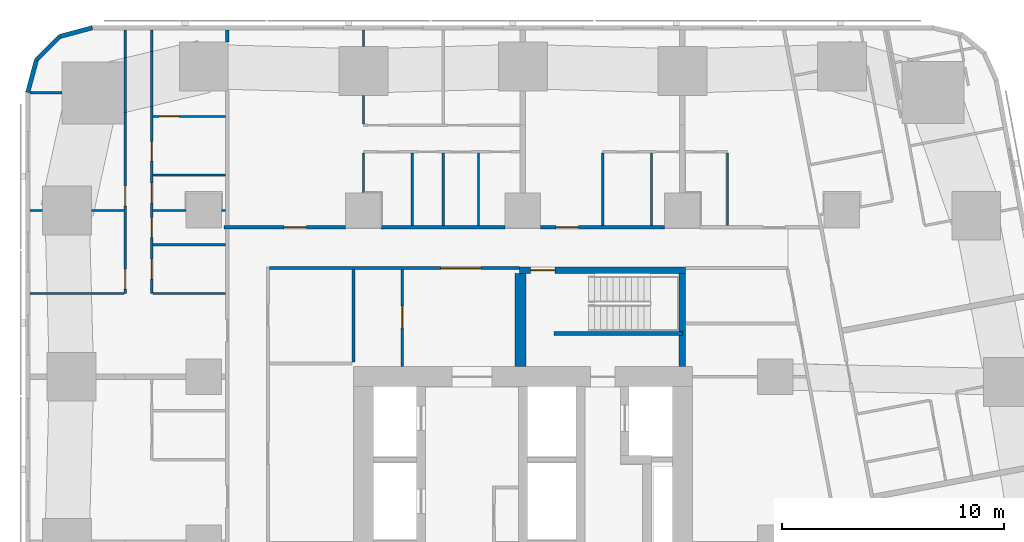
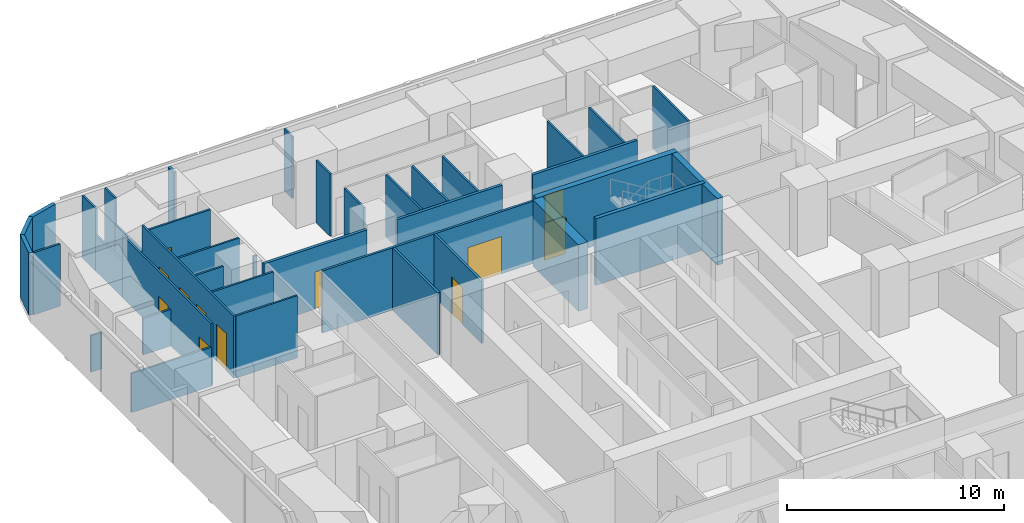
# One storey, part 8 of 14: 39 walls, 12 doors, 12 openings.
"""IFC4 building model written with IfcOpenShell, lengths in metres."""

from ifc_helpers import new_model, si_unit, direction, frame, frame_2d, origin, place, context, subcontext, project, spatial, rectangle, extrude, material, layer, layer_set, type_object, element, fill, save


model = new_model("IFC4")

# Units and contexts
model_context = context("Model", 3, precision=1e-05, world=origin(), true_north=direction((0.0, 1.0)))
body_context = subcontext(model_context, "Body", "Model", "MODEL_VIEW")
ifc_project = project(units=[si_unit("LENGTHUNIT", "METRE"), si_unit("AREAUNIT", "SQUARE_METRE"), si_unit("VOLUMEUNIT", "CUBIC_METRE"), si_unit("PLANEANGLEUNIT", "RADIAN"), si_unit("MASSUNIT", "GRAM", prefix="KILO")], contexts=[model_context])

# Site, building, storey
site_placement = place(None, origin())
site = spatial("IfcSite", under=ifc_project, at=site_placement, CompositionType="ELEMENT")
building_placement = place(site_placement, origin())
building = spatial("IfcBuilding", under=site, at=building_placement, Name="Sheger Commons Tower", CompositionType="ELEMENT")
storey_placement = place(building_placement, frame((0.0, 0.0, 122.89990234375)))
storey = spatial("IfcBuildingStorey", under=building, at=storey_placement, Name="L31", CompositionType="ELEMENT", Elevation=122.89990234375)

# Wall
ifc_material_1 = material(Name="Hollow concrete block masonry, skimmed both sides", Category="masonry")
ifc_layer_1 = layer(ifc_material_1, 0.14990234375)
ifc_layer_set_1 = layer_set([ifc_layer_1], Name="CORRIDOR WALL 150")
wall_type_1 = type_object("IfcWallType", Name="CORRIDOR WALL 150", PredefinedType="SOLIDWALL", material=ifc_layer_set_1)
wall_1_placement = place(storey_placement, frame((8.25, 45.10107421875, 0.0), z_axis=(0.0, 0.0, 1.0), x_axis=(0.0, 1.0, 0.0)))
element("IfcWall", 1, at=wall_1_placement, inside=storey, type_object=wall_type_1, Name="Corridor wall L31", PredefinedType="SOLIDWALL", context=body_context, shape_type="SweptSolid", body=[
    extrude(rectangle(XDim=0.548828125, YDim=0.14990234375, at=frame_2d((0.2744140625, 0.0))), origin(), (0.0, 0.0, 1.0), 3.5),
])

# Wall, opening, door
wall_2_placement = place(storey_placement, frame((8.10009765625, 36.75, 0.0), z_axis=(0.0, 0.0, 1.0), x_axis=(1.0, 0.0, 0.0)))
wall_2 = element("IfcWall", 2, at=wall_2_placement, inside=storey, type_object=wall_type_1, Name="Corridor wall L31", PredefinedType="SOLIDWALL", context=body_context, shape_type="SweptSolid", body=[
    extrude(rectangle(XDim=5.4990234375, YDim=0.14990234375, at=frame_2d((2.74951171875, 0.0))), origin(), (0.0, 0.0, 1.0), 3.5),
])
opening_1_placement = place(wall_2_placement, frame((2.72509765625, 0.0, 0.0)))
opening_1 = element("IfcOpeningElement", 3, at=opening_1_placement, cuts=wall_2, Name="Opening D1", PredefinedType="OPENING", context=body_context, shape_type="SweptSolid", body=[
    extrude(rectangle(XDim=1.0, YDim=2.10009765625, at=frame_2d((0.5, 1.050048828125))), frame((0.0, 0.0849609375, 0.0), z_axis=(0.0, -1.0, 0.0), x_axis=(1.0, 0.0, 0.0)), (0.0, 0.0, 1.0), 0.169921875),
])
ifc_material_2 = material(Name="Steel door set, fire rated", Category="steel")
door_type_1 = type_object("IfcDoorType", Name="FLAT ENTRANCE DOOR 1000x2100", OperationType="NOTDEFINED", PredefinedType="DOOR", material=ifc_material_2)
door_1_placement = place(opening_1_placement, origin())
door_1 = element("IfcDoor", 4, at=door_1_placement, inside=storey, type_object=door_type_1, Name="Flat entrance door", OperationType="SINGLE_SWING_LEFT", OverallHeight=2.10009765625, OverallWidth=1.0, PredefinedType="DOOR", context=body_context, shape_type="SweptSolid", body=[
    extrude(rectangle(XDim=1.0, YDim=2.10009765625, at=frame_2d((0.5, 1.050048828125))), frame((0.0, 0.02490234375, 0.0), z_axis=(0.0, -1.0, 0.0), x_axis=(1.0, 0.0, 0.0)), (0.0, 0.0, 1.0), 0.050048828125),
])
fill(opening_1, door_1)

# Wall
wall_3_placement = place(storey_placement, frame((15.200927734375, 36.75, 0.0), z_axis=(0.0, 0.0, 1.0), x_axis=(1.0, 0.0, 0.0)))
element("IfcWall", 5, at=wall_3_placement, inside=storey, type_object=wall_type_1, Name="Corridor wall L31", PredefinedType="SOLIDWALL", context=body_context, shape_type="SweptSolid", body=[
    extrude(rectangle(XDim=5.59814453125, YDim=0.14990234375, at=frame_2d((2.799072265625, 0.0))), origin(), (0.0, 0.0, 1.0), 3.5),
])

# Wall, opening, door
wall_4_placement = place(storey_placement, frame((22.40087890625, 36.75, 0.0), z_axis=(0.0, 0.0, 1.0), x_axis=(1.0, 0.0, 0.0)))
wall_4 = element("IfcWall", 6, at=wall_4_placement, inside=storey, type_object=wall_type_1, Name="Corridor wall L31", PredefinedType="SOLIDWALL", context=body_context, shape_type="SweptSolid", body=[
    extrude(rectangle(XDim=5.59814453125, YDim=0.14990234375, at=frame_2d((2.799072265625, 0.0))), origin(), (0.0, 0.0, 1.0), 3.5),
])
opening_2_placement = place(wall_4_placement, frame((0.698974609375, 0.0, 0.0)))
opening_2 = element("IfcOpeningElement", 7, at=opening_2_placement, cuts=wall_4, Name="Opening D1", PredefinedType="OPENING", context=body_context, shape_type="SweptSolid", body=[
    extrude(rectangle(XDim=1.0, YDim=2.10009765625, at=frame_2d((0.5, 1.050048828125))), frame((0.0, 0.0849609375, 0.0), z_axis=(0.0, -1.0, 0.0), x_axis=(1.0, 0.0, 0.0)), (0.0, 0.0, 1.0), 0.169921875),
])
door_2_placement = place(opening_2_placement, origin())
door_2 = element("IfcDoor", 8, at=door_2_placement, inside=storey, type_object=door_type_1, Name="Flat entrance door", OperationType="SINGLE_SWING_LEFT", OverallHeight=2.10009765625, OverallWidth=1.0, PredefinedType="DOOR", context=body_context, shape_type="SweptSolid", body=[
    extrude(rectangle(XDim=1.0, YDim=2.10009765625, at=frame_2d((0.5, 1.050048828125))), frame((0.0, 0.02490234375, 0.0), z_axis=(0.0, -1.0, 0.0), x_axis=(1.0, 0.0, 0.0)), (0.0, 0.0, 1.0), 0.050048828125),
])
fill(opening_2, door_2)

# Walls
ifc_material_3 = material(Name="Rendered concrete block masonry, dark grey", Category="masonry")
ifc_layer_2 = layer(ifc_material_3, 0.199951171875)
ifc_layer_set_2 = layer_set([ifc_layer_2], Name="FACADE WALL 200")
wall_type_2 = type_object("IfcWallType", Name="FACADE WALL 200", PredefinedType="SOLIDWALL", material=ifc_layer_set_2)
wall_5_placement = place(storey_placement, frame((2.1630859375, 45.75, 0.0), z_axis=(0.0, 0.0, 1.0), x_axis=(-0.965832000415, -0.259168954497, 0.0)))
element("IfcWall", 9, at=wall_5_placement, inside=storey, type_object=wall_type_2, Name="Facade wall L31", PredefinedType="SOLIDWALL", context=body_context, shape_type="SweptSolid", body=[
    extrude(rectangle(XDim=1.512939453125, YDim=0.199951171875, at=frame_2d((0.75634765625, 0.0))), origin(), (0.0, 0.0, 1.0), 3.5),
])
wall_6_placement = place(storey_placement, frame((0.701904296875, 45.35791015625, 0.0), z_axis=(0.0, 0.0, 1.0), x_axis=(-0.707106781187, -0.707106781187, 0.0)))
element("IfcWall", 10, at=wall_6_placement, inside=storey, type_object=wall_type_2, Name="Facade wall L31", PredefinedType="SOLIDWALL", context=body_context, shape_type="SweptSolid", body=[
    extrude(rectangle(XDim=1.498779296875, YDim=0.199951171875, at=frame_2d((0.74951171875, 0.0))), origin(), (0.0, 0.0, 1.0), 3.5),
])
wall_7_placement = place(storey_placement, frame((-0.35791015625, 44.298095703125, 0.0), z_axis=(0.0, 0.0, 1.0), x_axis=(-0.259168954497, -0.965832000415, 0.0)))
element("IfcWall", 11, at=wall_7_placement, inside=storey, type_object=wall_type_2, Name="Facade wall L31", PredefinedType="SOLIDWALL", context=body_context, shape_type="SweptSolid", body=[
    extrude(rectangle(XDim=1.512939453125, YDim=0.199951171875, at=frame_2d((0.75634765625, 0.0))), origin(), (0.0, 0.0, 1.0), 3.5),
])

# Wall, openings, doors
ifc_material_4 = material(Name="Gypsum board on steel studs", Category="steel")
ifc_layer_3 = layer(ifc_material_4, 0.10009765625)
ifc_layer_set_3 = layer_set([ifc_layer_3], Name="PARTITION 100")
wall_type_3 = type_object("IfcWallType", Name="PARTITION 100", PredefinedType="PARTITIONING", material=ifc_layer_set_3)
wall_8_placement = place(storey_placement, frame((3.64990234375, 33.75, 0.0), z_axis=(0.0, 0.0, 1.0), x_axis=(0.0, 1.0, 0.0)))
wall_8 = element("IfcWall", 12, at=wall_8_placement, inside=storey, type_object=wall_type_3, Name="Partition L31", PredefinedType="PARTITIONING", context=body_context, shape_type="SweptSolid", body=[
    extrude(rectangle(XDim=8.1650390625, YDim=0.10009765625, at=frame_2d((4.08251953125, 0.0))), origin(), (0.0, 0.0, 1.0), 3.5),
])
opening_3_placement = place(wall_8_placement, frame((0.199951171875, 0.0, 0.0)))
opening_3 = element("IfcOpeningElement", 13, at=opening_3_placement, cuts=wall_8, Name="Opening D2", PredefinedType="OPENING", context=body_context, shape_type="SweptSolid", body=[
    extrude(rectangle(XDim=0.89990234375, YDim=2.10009765625, at=frame_2d((0.449951171875, 1.050048828125))), frame((0.0, 0.06005859375, 0.0), z_axis=(0.0, -1.0, 0.0), x_axis=(1.0, 0.0, 0.0)), (0.0, 0.0, 1.0), 0.1201171875),
])
opening_4_placement = place(wall_8_placement, frame((3.949951171875, 0.0, 0.0)))
opening_4 = element("IfcOpeningElement", 14, at=opening_4_placement, cuts=wall_8, Name="Opening D2", PredefinedType="OPENING", context=body_context, shape_type="SweptSolid", body=[
    extrude(rectangle(XDim=0.89990234375, YDim=2.10009765625, at=frame_2d((0.449951171875, 1.050048828125))), frame((0.0, 0.06005859375, 0.0), z_axis=(0.0, -1.0, 0.0), x_axis=(1.0, 0.0, 0.0)), (0.0, 0.0, 1.0), 0.1201171875),
])
ifc_material_5 = material(Name="Timber door set", Category="wood")
door_type_2 = type_object("IfcDoorType", Name="INTERNAL DOOR 900x2100", OperationType="NOTDEFINED", PredefinedType="DOOR", material=ifc_material_5)
door_3_placement = place(opening_3_placement, origin())
door_3 = element("IfcDoor", 15, at=door_3_placement, inside=storey, type_object=door_type_2, Name="Main bedroom door", OperationType="SINGLE_SWING_LEFT", OverallHeight=2.10009765625, OverallWidth=0.89990234375, PredefinedType="DOOR", context=body_context, shape_type="SweptSolid", body=[
    extrude(rectangle(XDim=0.89990234375, YDim=2.10009765625, at=frame_2d((0.449951171875, 1.050048828125))), frame((0.0, 0.02490234375, 0.0), z_axis=(0.0, -1.0, 0.0), x_axis=(1.0, 0.0, 0.0)), (0.0, 0.0, 1.0), 0.050048828125),
])
fill(opening_3, door_3)
door_4_placement = place(opening_4_placement, origin())
door_4 = element("IfcDoor", 16, at=door_4_placement, inside=storey, type_object=door_type_2, Name="Bedroom 2 door", OperationType="SINGLE_SWING_LEFT", OverallHeight=2.10009765625, OverallWidth=0.89990234375, PredefinedType="DOOR", context=body_context, shape_type="SweptSolid", body=[
    extrude(rectangle(XDim=0.89990234375, YDim=2.10009765625, at=frame_2d((0.449951171875, 1.050048828125))), frame((0.0, 0.02490234375, 0.0), z_axis=(0.0, -1.0, 0.0), x_axis=(1.0, 0.0, 0.0)), (0.0, 0.0, 1.0), 0.050048828125),
])
fill(opening_4, door_4)

# Walls
wall_9_placement = place(storey_placement, frame((3.64990234375, 41.9150390625, 0.0), z_axis=(0.0, 0.0, 1.0), x_axis=(0.0, 1.0, 0.0)))
element("IfcWall", 17, at=wall_9_placement, inside=storey, type_object=wall_type_3, Name="Partition L31", PredefinedType="PARTITIONING", context=body_context, shape_type="SweptSolid", body=[
    extrude(rectangle(XDim=2.489990234375, YDim=0.10009765625, at=frame_2d((1.2451171875, 0.0))), origin(), (0.0, 0.0, 1.0), 2.050048828125),
])
wall_10_placement = place(storey_placement, frame((3.64990234375, 44.405029296875, 0.0), z_axis=(0.0, 0.0, 1.0), x_axis=(0.0, 1.0, 0.0)))
element("IfcWall", 18, at=wall_10_placement, inside=storey, type_object=wall_type_3, Name="Partition L31", PredefinedType="PARTITIONING", context=body_context, shape_type="SweptSolid", body=[
    extrude(rectangle(XDim=1.244873046875, YDim=0.10009765625, at=frame_2d((0.62255859375, 0.0))), origin(), (0.0, 0.0, 1.0), 3.5),
])

# Wall, openings, doors
wall_11_placement = place(storey_placement, frame((4.85009765625, 33.75, 0.0), z_axis=(0.0, 0.0, 1.0), x_axis=(0.0, 1.0, 0.0)))
wall_11 = element("IfcWall", 19, at=wall_11_placement, inside=storey, type_object=wall_type_3, Name="Partition L31", PredefinedType="PARTITIONING", context=body_context, shape_type="SweptSolid", body=[
    extrude(rectangle(XDim=8.448974609375, YDim=0.10009765625, at=frame_2d((4.224609375, 0.0))), origin(), (0.0, 0.0, 1.0), 3.5),
])
opening_5_placement = place(wall_11_placement, frame((0.655029296875, 0.0, 0.0)))
opening_5 = element("IfcOpeningElement", 20, at=opening_5_placement, cuts=wall_11, Name="Opening D2", PredefinedType="OPENING", context=body_context, shape_type="SweptSolid", body=[
    extrude(rectangle(XDim=0.89990234375, YDim=2.10009765625, at=frame_2d((0.449951171875, 1.050048828125))), frame((0.0, 0.06005859375, 0.0), z_axis=(0.0, -1.0, 0.0), x_axis=(1.0, 0.0, 0.0)), (0.0, 0.0, 1.0), 0.1201171875),
])
opening_6_placement = place(wall_11_placement, frame((4.10009765625, 0.0, 0.0)))
opening_6 = element("IfcOpeningElement", 21, at=opening_6_placement, cuts=wall_11, Name="Opening D2", PredefinedType="OPENING", context=body_context, shape_type="SweptSolid", body=[
    extrude(rectangle(XDim=0.89990234375, YDim=2.10009765625, at=frame_2d((0.449951171875, 1.050048828125))), frame((0.0, 0.06005859375, 0.0), z_axis=(0.0, -1.0, 0.0), x_axis=(1.0, 0.0, 0.0)), (0.0, 0.0, 1.0), 0.1201171875),
])
opening_7_placement = place(wall_11_placement, frame((2.530029296875, 0.0, 0.0)))
opening_7 = element("IfcOpeningElement", 22, at=opening_7_placement, cuts=wall_11, Name="Opening D2", PredefinedType="OPENING", context=body_context, shape_type="SweptSolid", body=[
    extrude(rectangle(XDim=0.89990234375, YDim=2.10009765625, at=frame_2d((0.449951171875, 1.050048828125))), frame((0.0, 0.06005859375, 0.0), z_axis=(0.0, -1.0, 0.0), x_axis=(1.0, 0.0, 0.0)), (0.0, 0.0, 1.0), 0.1201171875),
])
opening_8_placement = place(wall_11_placement, frame((5.97509765625, 0.0, 0.0)))
opening_8 = element("IfcOpeningElement", 23, at=opening_8_placement, cuts=wall_11, Name="Opening D2", PredefinedType="OPENING", context=body_context, shape_type="SweptSolid", body=[
    extrude(rectangle(XDim=0.89990234375, YDim=2.10009765625, at=frame_2d((0.449951171875, 1.050048828125))), frame((0.0, 0.06005859375, 0.0), z_axis=(0.0, -1.0, 0.0), x_axis=(1.0, 0.0, 0.0)), (0.0, 0.0, 1.0), 0.1201171875),
])
door_5_placement = place(opening_5_placement, origin())
door_5 = element("IfcDoor", 24, at=door_5_placement, inside=storey, type_object=door_type_2, Name="Bathroom door", OperationType="SINGLE_SWING_RIGHT", OverallHeight=2.10009765625, OverallWidth=0.89990234375, PredefinedType="DOOR", context=body_context, shape_type="SweptSolid", body=[
    extrude(rectangle(XDim=0.89990234375, YDim=2.10009765625, at=frame_2d((0.449951171875, 1.050048828125))), frame((0.0, 0.02490234375, 0.0), z_axis=(0.0, -1.0, 0.0), x_axis=(1.0, 0.0, 0.0)), (0.0, 0.0, 1.0), 0.050048828125),
])
fill(opening_5, door_5)
door_6_placement = place(opening_6_placement, origin())
door_6 = element("IfcDoor", 25, at=door_6_placement, inside=storey, type_object=door_type_2, Name="Shower room door", OperationType="SINGLE_SWING_RIGHT", OverallHeight=2.10009765625, OverallWidth=0.89990234375, PredefinedType="DOOR", context=body_context, shape_type="SweptSolid", body=[
    extrude(rectangle(XDim=0.89990234375, YDim=2.10009765625, at=frame_2d((0.449951171875, 1.050048828125))), frame((0.0, 0.02490234375, 0.0), z_axis=(0.0, -1.0, 0.0), x_axis=(1.0, 0.0, 0.0)), (0.0, 0.0, 1.0), 0.050048828125),
])
fill(opening_6, door_6)
door_7_placement = place(opening_7_placement, origin())
door_7 = element("IfcDoor", 26, at=door_7_placement, inside=storey, type_object=door_type_2, Name="Store door", OperationType="SINGLE_SWING_LEFT", OverallHeight=2.10009765625, OverallWidth=0.89990234375, PredefinedType="DOOR", context=body_context, shape_type="SweptSolid", body=[
    extrude(rectangle(XDim=0.89990234375, YDim=2.10009765625, at=frame_2d((0.449951171875, 1.050048828125))), frame((0.0, 0.02490234375, 0.0), z_axis=(0.0, -1.0, 0.0), x_axis=(1.0, 0.0, 0.0)), (0.0, 0.0, 1.0), 0.050048828125),
])
fill(opening_7, door_7)
door_8_placement = place(opening_8_placement, origin())
door_8 = element("IfcDoor", 27, at=door_8_placement, inside=storey, type_object=door_type_2, Name="Store door", OperationType="SINGLE_SWING_RIGHT", OverallHeight=2.10009765625, OverallWidth=0.89990234375, PredefinedType="DOOR", context=body_context, shape_type="SweptSolid", body=[
    extrude(rectangle(XDim=0.89990234375, YDim=2.10009765625, at=frame_2d((0.449951171875, 1.050048828125))), frame((0.0, 0.02490234375, 0.0), z_axis=(0.0, -1.0, 0.0), x_axis=(1.0, 0.0, 0.0)), (0.0, 0.0, 1.0), 0.050048828125),
])
fill(opening_8, door_8)

# Walls
wall_12_placement = place(storey_placement, frame((4.85009765625, 42.198974609375, 0.0), z_axis=(0.0, 0.0, 1.0), x_axis=(0.0, 1.0, 0.0)))
element("IfcWall", 28, at=wall_12_placement, inside=storey, type_object=wall_type_3, Name="Partition L31", PredefinedType="PARTITIONING", context=body_context, shape_type="SweptSolid", body=[
    extrude(rectangle(XDim=2.489990234375, YDim=0.10009765625, at=frame_2d((1.2451171875, 0.0))), origin(), (0.0, 0.0, 1.0), 2.050048828125),
])
wall_13_placement = place(storey_placement, frame((4.85009765625, 44.68896484375, 0.0), z_axis=(0.0, 0.0, 1.0), x_axis=(0.0, 1.0, 0.0)))
element("IfcWall", 29, at=wall_13_placement, inside=storey, type_object=wall_type_3, Name="Partition L31", PredefinedType="PARTITIONING", context=body_context, shape_type="SweptSolid", body=[
    extrude(rectangle(XDim=0.9609375, YDim=0.10009765625, at=frame_2d((0.48046875, 0.0))), origin(), (0.0, 0.0, 1.0), 3.5),
])
wall_14_placement = place(storey_placement, frame((-0.64990234375, 33.75, 0.0), z_axis=(0.0, 0.0, 1.0), x_axis=(1.0, 0.0, 0.0)))
element("IfcWall", 30, at=wall_14_placement, inside=storey, type_object=wall_type_3, Name="Partition L31", PredefinedType="PARTITIONING", context=body_context, shape_type="SweptSolid", body=[
    extrude(rectangle(XDim=4.25, YDim=0.10009765625, at=frame_2d((2.125, 0.0))), origin(), (0.0, 0.0, 1.0), 2.2001953125),
])
wall_15_placement = place(storey_placement, frame((-0.64990234375, 37.5, 0.0), z_axis=(0.0, 0.0, 1.0), x_axis=(1.0, 0.0, 0.0)))
element("IfcWall", 31, at=wall_15_placement, inside=storey, type_object=wall_type_3, Name="Partition L31", PredefinedType="PARTITIONING", context=body_context, shape_type="SweptSolid", body=[
    extrude(rectangle(XDim=0.573974609375, YDim=0.10009765625, at=frame_2d((0.287109375, 0.0))), origin(), (0.0, 0.0, 1.0), 2.050048828125),
])
wall_16_placement = place(storey_placement, frame((2.1259765625, 37.5, 0.0), z_axis=(0.0, 0.0, 1.0), x_axis=(1.0, 0.0, 0.0)))
element("IfcWall", 32, at=wall_16_placement, inside=storey, type_object=wall_type_3, Name="Partition L31", PredefinedType="PARTITIONING", context=body_context, shape_type="SweptSolid", body=[
    extrude(rectangle(XDim=1.47412109375, YDim=0.10009765625, at=frame_2d((0.737060546875, 0.0))), origin(), (0.0, 0.0, 1.0), 2.050048828125),
])
wall_17_placement = place(storey_placement, frame((-0.64990234375, 42.81396484375, 0.0), z_axis=(0.0, 0.0, 1.0), x_axis=(1.0, 0.0, 0.0)))
element("IfcWall", 33, at=wall_17_placement, inside=storey, type_object=wall_type_3, Name="Partition L31", PredefinedType="PARTITIONING", context=body_context, shape_type="SweptSolid", body=[
    extrude(rectangle(XDim=1.434814453125, YDim=0.10009765625, at=frame_2d((0.71728515625, 0.0))), origin(), (0.0, 0.0, 1.0), 3.5),
])
wall_18_placement = place(storey_placement, frame((4.89990234375, 33.75, 0.0), z_axis=(0.0, 0.0, 1.0), x_axis=(1.0, 0.0, 0.0)))
element("IfcWall", 34, at=wall_18_placement, inside=storey, type_object=wall_type_3, Name="Partition L31", PredefinedType="PARTITIONING", context=body_context, shape_type="SweptSolid", body=[
    extrude(rectangle(XDim=3.275146484375, YDim=0.10009765625, at=frame_2d((1.6376953125, 0.0))), origin(), (0.0, 0.0, 1.0), 3.5),
])
wall_19_placement = place(storey_placement, frame((4.89990234375, 37.5, 0.0), z_axis=(0.0, 0.0, 1.0), x_axis=(1.0, 0.0, 0.0)))
element("IfcWall", 35, at=wall_19_placement, inside=storey, type_object=wall_type_3, Name="Partition L31", PredefinedType="PARTITIONING", context=body_context, shape_type="SweptSolid", body=[
    extrude(rectangle(XDim=1.4990234375, YDim=0.10009765625, at=frame_2d((0.74951171875, 0.0))), origin(), (0.0, 0.0, 1.0), 3.5),
])
wall_20_placement = place(storey_placement, frame((8.0009765625, 37.5, 0.0), z_axis=(0.0, 0.0, 1.0), x_axis=(1.0, 0.0, 0.0)))
element("IfcWall", 36, at=wall_20_placement, inside=storey, type_object=wall_type_3, Name="Partition L31", PredefinedType="PARTITIONING", context=body_context, shape_type="SweptSolid", body=[
    extrude(rectangle(XDim=0.174072265625, YDim=0.10009765625, at=frame_2d((0.0869140625, 0.0))), origin(), (0.0, 0.0, 1.0), 3.5),
])
for number, where, z_axis, x_axis, name in (
    (37, (4.89990234375, 35.9599609375, 0.0), (0.0, 0.0, 1.0), (1.0, 0.0, 0.0), "Partition L31"),
    (38, (4.89990234375, 39.10009765625, 0.0), (0.0, 0.0, 1.0), (1.0, 0.0, 0.0), "Partition L31"),
):
    element("IfcWall", number, at=place(storey_placement, frame(where, z_axis=z_axis, x_axis=x_axis)), inside=storey, type_object=wall_type_3, Name=name, PredefinedType="PARTITIONING", context=body_context, shape_type="SweptSolid", body=[
        extrude(rectangle(XDim=3.275146484375, YDim=0.10009765625, at=frame_2d((1.6376953125, 0.0))), origin(), (0.0, 0.0, 1.0), 3.5),
    ])
wall_21_placement = place(storey_placement, frame((14.39990234375, 41.39990234375, 0.0), z_axis=(0.0, 0.0, 1.0), x_axis=(0.0, 1.0, 0.0)))
element("IfcWall", 39, at=wall_21_placement, inside=storey, type_object=wall_type_3, Name="Partition L31", PredefinedType="PARTITIONING", context=body_context, shape_type="SweptSolid", body=[
    extrude(rectangle(XDim=1.299072265625, YDim=0.10009765625, at=frame_2d((0.6494140625, 0.0))), origin(), (0.0, 0.0, 1.0), 3.5),
])
wall_22_placement = place(storey_placement, frame((14.39990234375, 44.90087890625, 0.0), z_axis=(0.0, 0.0, 1.0), x_axis=(0.0, 1.0, 0.0)))
element("IfcWall", 40, at=wall_22_placement, inside=storey, type_object=wall_type_3, Name="Partition L31", PredefinedType="PARTITIONING", context=body_context, shape_type="SweptSolid", body=[
    extrude(rectangle(XDim=0.7490234375, YDim=0.10009765625, at=frame_2d((0.37451171875, 0.0))), origin(), (0.0, 0.0, 1.0), 3.5),
])
wall_23_placement = place(storey_placement, frame((14.39990234375, 38.301025390625, 0.0), z_axis=(0.0, 0.0, 1.0), x_axis=(0.0, 1.0, 0.0)))
element("IfcWall", 41, at=wall_23_placement, inside=storey, type_object=wall_type_3, Name="Partition L31", PredefinedType="PARTITIONING", context=body_context, shape_type="SweptSolid", body=[
    extrude(rectangle(XDim=1.799072265625, YDim=0.10009765625, at=frame_2d((0.8994140625, 0.0))), origin(), (0.0, 0.0, 1.0), 3.5),
])
for number, where, z_axis, x_axis, name in (
    (42, (18.0, 36.824951171875, 0.0), (0.0, 0.0, 1.0), (0.0, 1.0, 0.0), "Partition L31"),
    (43, (16.610107421875, 36.824951171875, 0.0), (0.0, 0.0, 1.0), (0.0, 1.0, 0.0), "Partition L31"),
    (44, (19.60009765625, 36.824951171875, 0.0), (0.0, 0.0, 1.0), (0.0, 1.0, 0.0), "Partition L31"),
    (45, (25.199951171875, 36.824951171875, 0.0), (0.0, 0.0, 1.0), (0.0, 1.0, 0.0), "Partition L31"),
    (46, (27.409912109375, 36.824951171875, 0.0), (0.0, 0.0, 1.0), (0.0, 1.0, 0.0), "Partition L31"),
    (47, (30.8291015625, 36.824951171875, 0.0), (0.0, 0.0, 1.0), (0.0, 1.0, 0.0), "Partition L31"),
):
    element("IfcWall", number, at=place(storey_placement, frame(where, z_axis=z_axis, x_axis=x_axis)), inside=storey, type_object=wall_type_3, Name=name, PredefinedType="PARTITIONING", context=body_context, shape_type="SweptSolid", body=[
        extrude(rectangle(XDim=3.275146484375, YDim=0.10009765625, at=frame_2d((1.6376953125, 0.0))), origin(), (0.0, 0.0, 1.0), 3.5),
    ])

# Wall, opening, door
wall_24_placement = place(storey_placement, frame((8.175048828125, 41.75, 0.0), z_axis=(0.0, 0.0, 1.0), x_axis=(-1.0, 0.0, 0.0)))
wall_24 = element("IfcWall", 48, at=wall_24_placement, inside=storey, type_object=wall_type_3, Name="Partition L31", PredefinedType="PARTITIONING", context=body_context, shape_type="SweptSolid", body=[
    extrude(rectangle(XDim=3.275146484375, YDim=0.10009765625, at=frame_2d((1.6376953125, 0.0))), origin(), (0.0, 0.0, 1.0), 3.5),
])
opening_9_placement = place(wall_24_placement, frame((2.10009765625, 0.0, 0.0)))
opening_9 = element("IfcOpeningElement", 49, at=opening_9_placement, cuts=wall_24, Name="Opening D2", PredefinedType="OPENING", context=body_context, shape_type="SweptSolid", body=[
    extrude(rectangle(XDim=0.89990234375, YDim=2.10009765625, at=frame_2d((0.449951171875, 1.050048828125))), frame((0.0, 0.06005859375, 0.0), z_axis=(0.0, -1.0, 0.0), x_axis=(1.0, 0.0, 0.0)), (0.0, 0.0, 1.0), 0.1201171875),
])
door_9_placement = place(opening_9_placement, origin())
door_9 = element("IfcDoor", 50, at=door_9_placement, inside=storey, type_object=door_type_2, Name="Store door", OperationType="SINGLE_SWING_LEFT", OverallHeight=2.10009765625, OverallWidth=0.89990234375, PredefinedType="DOOR", context=body_context, shape_type="SweptSolid", body=[
    extrude(rectangle(XDim=0.89990234375, YDim=2.10009765625, at=frame_2d((0.449951171875, 1.050048828125))), frame((0.0, 0.02490234375, 0.0), z_axis=(0.0, -1.0, 0.0), x_axis=(1.0, 0.0, 0.0)), (0.0, 0.0, 1.0), 0.050048828125),
])
fill(opening_9, door_9)

# Wall
ifc_material_6 = material(Name="Gypsum board on steel studs, two layers each side, fire rated", Category="steel")
ifc_layer_4 = layer(ifc_material_6, 0.125)
ifc_layer_set_4 = layer_set([ifc_layer_4], Name="SERVICE WALL 125")
wall_type_4 = type_object("IfcWallType", Name="SERVICE WALL 125", PredefinedType="PARTITIONING", material=ifc_layer_set_4)
wall_25_placement = place(storey_placement, frame((13.949951171875, 30.6630859375, 0.0), z_axis=(0.0, 0.0, 1.0), x_axis=(0.0, 1.0, 0.0)))
element("IfcWall", 51, at=wall_25_placement, inside=storey, type_object=wall_type_4, Name="Service room wall L31", PredefinedType="PARTITIONING", context=body_context, shape_type="SweptSolid", body=[
    extrude(rectangle(XDim=4.173828125, YDim=0.125, at=frame_2d((2.0869140625, 0.0))), origin(), (0.0, 0.0, 1.0), 3.5),
])

# Wall, opening, door
wall_26_placement = place(storey_placement, frame((10.1630859375, 34.89990234375, 0.0), z_axis=(0.0, 0.0, 1.0), x_axis=(1.0, 0.0, 0.0)))
wall_26 = element("IfcWall", 52, at=wall_26_placement, inside=storey, type_object=wall_type_4, Name="Service room wall L31", PredefinedType="PARTITIONING", context=body_context, shape_type="SweptSolid", body=[
    extrude(rectangle(XDim=11.286865234375, YDim=0.125, at=frame_2d((5.6435546875, 0.0))), origin(), (0.0, 0.0, 1.0), 3.5),
])
opening_10_placement = place(wall_26_placement, frame((7.737060546875, 0.0, 0.0)))
opening_10 = element("IfcOpeningElement", 53, at=opening_10_placement, cuts=wall_26, Name="Opening D6", PredefinedType="OPENING", context=body_context, shape_type="SweptSolid", body=[
    extrude(rectangle(XDim=1.800048828125, YDim=2.10009765625, at=frame_2d((0.89990234375, 1.050048828125))), frame((0.0, 0.072509765625, 0.0), z_axis=(0.0, -1.0, 0.0), x_axis=(1.0, 0.0, 0.0)), (0.0, 0.0, 1.0), 0.14501953125),
])
ifc_material_7 = material(Name="Steel door set, fire rated", Category="steel")
door_type_3 = type_object("IfcDoorType", Name="LOBBY DOUBLE DOOR 1800x2100", OperationType="DOUBLE_DOOR_SINGLE_SWING", PredefinedType="DOOR", material=ifc_material_7)
door_10_placement = place(opening_10_placement, origin())
door_10 = element("IfcDoor", 54, at=door_10_placement, inside=storey, type_object=door_type_3, Name="Lift lobby north door", OperationType="DOUBLE_DOOR_SINGLE_SWING", OverallHeight=2.10009765625, OverallWidth=1.800048828125, PredefinedType="DOOR", context=body_context, shape_type="SweptSolid", body=[
    extrude(rectangle(XDim=1.800048828125, YDim=2.10009765625, at=frame_2d((0.89990234375, 1.050048828125))), frame((0.0, 0.02490234375, 0.0), z_axis=(0.0, -1.0, 0.0), x_axis=(1.0, 0.0, 0.0)), (0.0, 0.0, 1.0), 0.050048828125),
])
fill(opening_10, door_10)

wall_27_placement = place(storey_placement, frame((16.14990234375, 30.449951171875, 0.0), z_axis=(0.0, 0.0, 1.0), x_axis=(0.0, 1.0, 0.0)))
wall_27 = element("IfcWall", 55, at=wall_27_placement, inside=storey, type_object=wall_type_4, Name="Service room wall L31", PredefinedType="PARTITIONING", context=body_context, shape_type="SweptSolid", body=[
    extrude(rectangle(XDim=4.386962890625, YDim=0.125, at=frame_2d((2.193359375, 0.0))), origin(), (0.0, 0.0, 1.0), 3.5),
])
opening_11_placement = place(wall_27_placement, frame((1.75, 0.0, 0.0)))
opening_11 = element("IfcOpeningElement", 56, at=opening_11_placement, cuts=wall_27, Name="Opening D4", PredefinedType="OPENING", context=body_context, shape_type="SweptSolid", body=[
    extrude(rectangle(XDim=1.0, YDim=2.10009765625, at=frame_2d((0.5, 1.050048828125))), frame((0.0, 0.072509765625, 0.0), z_axis=(0.0, -1.0, 0.0), x_axis=(1.0, 0.0, 0.0)), (0.0, 0.0, 1.0), 0.14501953125),
])
ifc_material_8 = material(Name="Steel door set, fire rated", Category="steel")
door_type_4 = type_object("IfcDoorType", Name="SERVICE DOOR 1000x2100", OperationType="NOTDEFINED", PredefinedType="DOOR", material=ifc_material_8)
door_11_placement = place(opening_11_placement, origin())
door_11 = element("IfcDoor", 57, at=door_11_placement, inside=storey, type_object=door_type_4, Name="Telecom room door", OperationType="SINGLE_SWING_RIGHT", OverallHeight=2.10009765625, OverallWidth=1.0, PredefinedType="DOOR", context=body_context, shape_type="SweptSolid", body=[
    extrude(rectangle(XDim=1.0, YDim=2.10009765625, at=frame_2d((0.5, 1.050048828125))), frame((0.0, 0.02490234375, 0.0), z_axis=(0.0, -1.0, 0.0), x_axis=(1.0, 0.0, 0.0)), (0.0, 0.0, 1.0), 0.050048828125),
])
fill(opening_11, door_11)

ifc_material_9 = material(Name="Concrete C50/60", Category="concrete")
ifc_layer_5 = layer(ifc_material_9, 0.300048828125)
ifc_layer_set_5 = layer_set([ifc_layer_5], Name="STAIR CORE WALL 300")
wall_type_5 = type_object("IfcWallType", Name="STAIR CORE WALL 300", PredefinedType="SHEAR", material=ifc_layer_set_5)
wall_28_placement = place(storey_placement, frame((21.449951171875, 34.800048828125, 0.0), z_axis=(0.0, 0.0, 1.0), x_axis=(1.0, 0.0, 0.0)))
wall_28 = element("IfcWall", 58, at=wall_28_placement, inside=storey, type_object=wall_type_5, Name="STW-L31-S2N", PredefinedType="SHEAR", context=body_context, shape_type="SweptSolid", body=[
    extrude(rectangle(XDim=7.5, YDim=0.300048828125, at=frame_2d((3.75, 0.0))), origin(), (0.0, 0.0, 1.0), 3.75),
])
opening_12_placement = place(wall_28_placement, frame((0.5, 0.0, 0.0)))
opening_12 = element("IfcOpeningElement", 59, at=opening_12_placement, cuts=wall_28, Name="Opening D5", PredefinedType="OPENING", context=body_context, shape_type="SweptSolid", body=[
    extrude(rectangle(XDim=1.10009765625, YDim=2.10009765625, at=frame_2d((0.550048828125, 1.050048828125))), frame((0.0, 0.159912109375, 0.0), z_axis=(0.0, -1.0, 0.0), x_axis=(1.0, 0.0, 0.0)), (0.0, 0.0, 1.0), 0.320068359375),
])
ifc_material_10 = material(Name="Steel door set, fire rated", Category="steel")
door_type_5 = type_object("IfcDoorType", Name="STAIR DOOR 1100x2100", OperationType="NOTDEFINED", PredefinedType="DOOR", material=ifc_material_10)
door_12_placement = place(opening_12_placement, origin())
door_12 = element("IfcDoor", 60, at=door_12_placement, inside=storey, type_object=door_type_5, Name="Stair S2 door", OperationType="SINGLE_SWING_RIGHT", OverallHeight=2.10009765625, OverallWidth=1.10009765625, PredefinedType="DOOR", context=body_context, shape_type="SweptSolid", body=[
    extrude(rectangle(XDim=1.10009765625, YDim=2.10009765625, at=frame_2d((0.550048828125, 1.050048828125))), frame((0.0, 0.02490234375, 0.0), z_axis=(0.0, -1.0, 0.0), x_axis=(1.0, 0.0, 0.0)), (0.0, 0.0, 1.0), 0.050048828125),
])
fill(opening_12, door_12)

# Walls
wall_29_placement = place(storey_placement, frame((28.800048828125, 30.449951171875, 0.0), z_axis=(0.0, 0.0, 1.0), x_axis=(0.0, 1.0, 0.0)))
element("IfcWall", 61, at=wall_29_placement, inside=storey, type_object=wall_type_5, Name="STW-L31-S2E", PredefinedType="SHEAR", context=body_context, shape_type="SweptSolid", body=[
    extrude(rectangle(XDim=4.199951171875, YDim=0.300048828125, at=frame_2d((2.10009765625, 0.0))), origin(), (0.0, 0.0, 1.0), 3.75),
])
ifc_material_11 = material(Name="Concrete C50/60", Category="concrete")
ifc_layer_6 = layer(ifc_material_11, 0.5)
ifc_layer_set_6 = layer_set([ifc_layer_6], Name="STAIR CORE WALL 500")
wall_type_6 = type_object("IfcWallType", Name="STAIR CORE WALL 500", PredefinedType="SHEAR", material=ifc_layer_set_6)
wall_30_placement = place(storey_placement, frame((21.5, 30.449951171875, 0.0), z_axis=(0.0, 0.0, 1.0), x_axis=(0.0, 1.0, 0.0)))
element("IfcWall", 62, at=wall_30_placement, inside=storey, type_object=wall_type_6, Name="STW-L31-S2W", PredefinedType="SHEAR", context=body_context, shape_type="SweptSolid", body=[
    extrude(rectangle(XDim=4.199951171875, YDim=0.5, at=frame_2d((2.10009765625, 0.0))), origin(), (0.0, 0.0, 1.0), 3.75),
])
ifc_material_12 = material(Name="Concrete C50/60", Category="concrete")
ifc_layer_7 = layer(ifc_material_12, 0.199951171875)
ifc_layer_set_7 = layer_set([ifc_layer_7], Name="STAIR SPINE WALL 200")
wall_type_7 = type_object("IfcWallType", Name="STAIR SPINE WALL 200", PredefinedType="SHEAR", material=ifc_layer_set_7)
wall_31_placement = place(storey_placement, frame((23.0, 31.949951171875, 0.0), z_axis=(0.0, 0.0, 1.0), x_axis=(1.0, 0.0, 0.0)))
element("IfcWall", 63, at=wall_31_placement, inside=storey, type_object=wall_type_7, Name="Stair spine wall L31", PredefinedType="SHEAR", context=body_context, shape_type="SweptSolid", body=[
    extrude(rectangle(XDim=5.800048828125, YDim=0.199951171875, at=frame_2d((2.89990234375, 0.0))), origin(), (0.0, 0.0, 1.0), 3.75),
])

save(model, "model.ifc")
